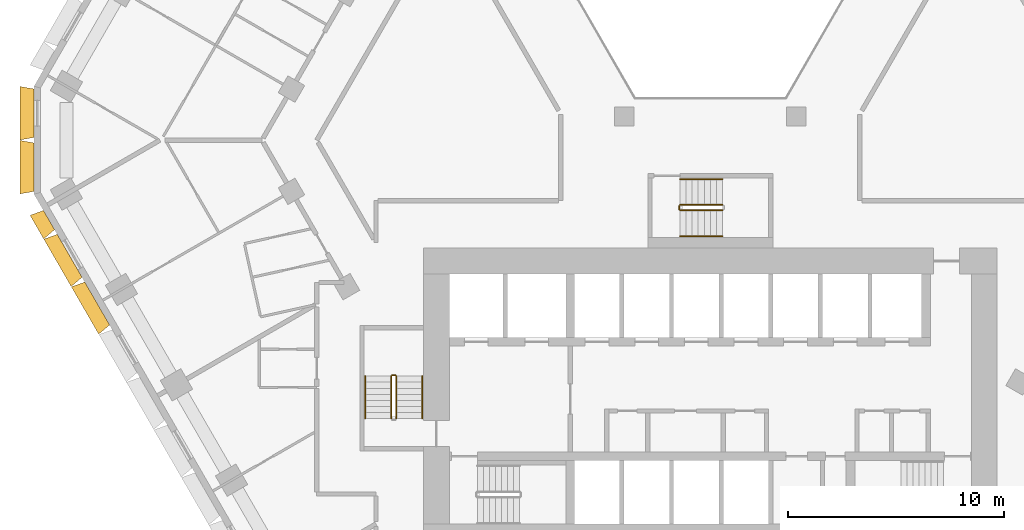
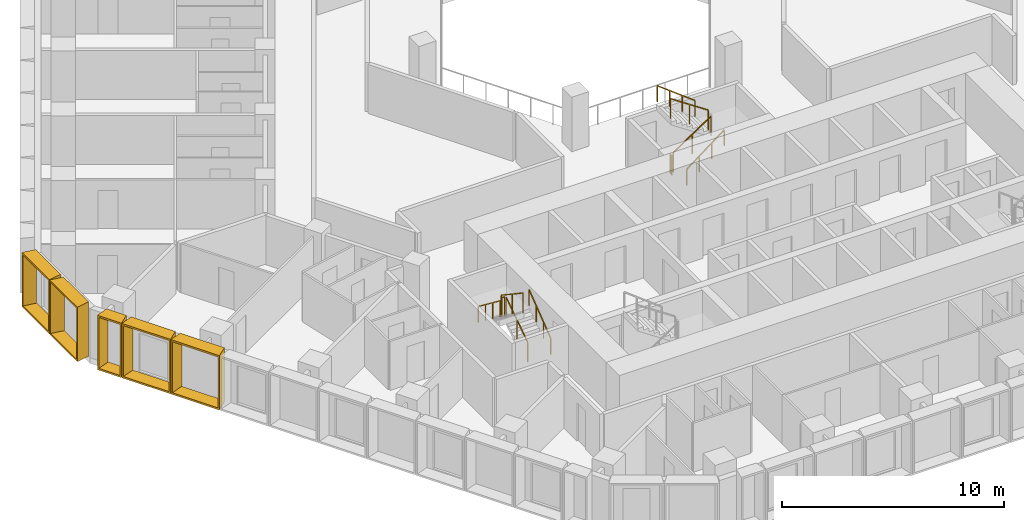
# One storey, part 14 of 16: 10 railings, 5 shading devices.
"""IFC4 building model written with IfcOpenShell, lengths in metres."""

from ifc_helpers import new_model, entity, si_unit, direction, frame, origin, origin_2d, place, context, subcontext, project, spatial, rectangle, extrude, source, transform, mapped, material, type_object, type_shapes, element, save


model = new_model("IFC4")

# Units and contexts
model_context = context("Model", 3, precision=1e-05, world=origin(), true_north=direction((0.0, 1.0)))
body_context = subcontext(model_context, "Body", "Model", "MODEL_VIEW")
ifc_project = project(units=[si_unit("LENGTHUNIT", "METRE"), si_unit("AREAUNIT", "SQUARE_METRE"), si_unit("VOLUMEUNIT", "CUBIC_METRE"), si_unit("PLANEANGLEUNIT", "RADIAN"), si_unit("MASSUNIT", "GRAM", prefix="KILO")], contexts=[model_context])

# Site, building, storey
site_placement = place(None, origin())
site = spatial("IfcSite", under=ifc_project, at=site_placement, CompositionType="ELEMENT")
building_placement = place(site_placement, origin())
building = spatial("IfcBuilding", under=site, at=building_placement, Name="Beryl Residences", CompositionType="ELEMENT")
storey_placement = place(building_placement, frame((0.0, 0.0, 56.39990234375)))
storey = spatial("IfcBuildingStorey", under=building, at=storey_placement, Name="L17", CompositionType="ELEMENT", Elevation=56.39990234375)

# Shading devices
ifc_material_1 = material(Name="Aluminium pale anodised", Category="aluminium")
shading_device_type_1 = type_object("IfcShadingDeviceType", Name="FR128-65A OUTER SKIN frame 650 mm deep, splay 10/10 deg, 1280 x 3000 mm cell", PredefinedType="USERDEFINED", material=ifc_material_1)
cartesian_point_1 = entity("IfcCartesianPoint", [-0.514892578125, 0.0])
cartesian_point_2 = entity("IfcCartesianPoint", [-0.433837890625, 0.10009765625])
cartesian_point_3 = entity("IfcCartesianPoint", [-0.629638671875, 0.0])
cartesian_point_4 = entity("IfcCartesianPoint", [-0.54833984375, 0.10009765625])
shared_shape_1 = source(origin(), body_context, "Body", "SweptSolid", [
    entity("IfcExtrudedAreaSolidTapered", entity("IfcArbitraryProfileDefWithVoids", "AREA", None, entity("IfcPolyline", [cartesian_point_1, entity("IfcCartesianPoint", [0.514892578125, 0.0]), entity("IfcCartesianPoint", [0.514892578125, 3.0]), entity("IfcCartesianPoint", [-0.514892578125, 3.0]), cartesian_point_1]), [entity("IfcPolyline", [cartesian_point_2, entity("IfcCartesianPoint", [0.433837890625, 0.10009765625]), entity("IfcCartesianPoint", [0.433837890625, 2.89990234375]), entity("IfcCartesianPoint", [-0.433837890625, 2.89990234375]), cartesian_point_2])]), entity("IfcAxis2Placement3D", entity("IfcCartesianPoint", [0.0, 0.0, 0.0]), entity("IfcDirection", [0.0, 1.0, 0.0]), entity("IfcDirection", [-1.0, 0.0, 0.0])), entity("IfcDirection", [0.0, 0.0, 1.0]), 0.64990234375, entity("IfcArbitraryProfileDefWithVoids", "AREA", None, entity("IfcPolyline", [cartesian_point_3, entity("IfcCartesianPoint", [0.629638671875, 0.0]), entity("IfcCartesianPoint", [0.629638671875, 3.0]), entity("IfcCartesianPoint", [-0.629638671875, 3.0]), cartesian_point_3]), [entity("IfcPolyline", [cartesian_point_4, entity("IfcCartesianPoint", [0.54833984375, 0.10009765625]), entity("IfcCartesianPoint", [0.54833984375, 2.89990234375]), entity("IfcCartesianPoint", [-0.54833984375, 2.89990234375]), cartesian_point_4])])),
])
type_shapes(shading_device_type_1, [shared_shape_1])
shading_device_placement = place(storey_placement, frame((-30.655029296875, -3.702880859375, 0.0), z_axis=(0.0, 0.0, 1.0), x_axis=(-0.5, 0.866025403784, 0.0)))
element("IfcShadingDevice", 1, at=shading_device_placement, inside=storey, type_object=shading_device_type_1, Name="FR128-65A frame L17 SW 1", ObjectType="OUTER SKIN", PredefinedType="USERDEFINED", context=body_context, shape_type="MappedRepresentation", body=[
    mapped(shared_shape_1, transform((0.0, 0.0, 0.0))),
])
ifc_material_2 = material(Name="Aluminium pale anodised", Category="aluminium")
shading_device_type_2 = type_object("IfcShadingDeviceType", Name="FR250-65A OUTER SKIN frame 650 mm deep, splay 10/10 deg, 2500 x 3000 mm cell", PredefinedType="USERDEFINED", material=ifc_material_2)
cartesian_point_5 = entity("IfcCartesianPoint", [-1.125, 0.0])
cartesian_point_6 = entity("IfcCartesianPoint", [-1.043701171875, 0.10009765625])
cartesian_point_7 = entity("IfcCartesianPoint", [-1.239501953125, 0.0])
cartesian_point_8 = entity("IfcCartesianPoint", [-1.158447265625, 0.10009765625])
shared_shape_2 = source(origin(), body_context, "Body", "SweptSolid", [
    entity("IfcExtrudedAreaSolidTapered", entity("IfcArbitraryProfileDefWithVoids", "AREA", None, entity("IfcPolyline", [cartesian_point_5, entity("IfcCartesianPoint", [1.125, 0.0]), entity("IfcCartesianPoint", [1.125, 3.0]), entity("IfcCartesianPoint", [-1.125, 3.0]), cartesian_point_5]), [entity("IfcPolyline", [cartesian_point_6, entity("IfcCartesianPoint", [1.043701171875, 0.10009765625]), entity("IfcCartesianPoint", [1.043701171875, 2.89990234375]), entity("IfcCartesianPoint", [-1.043701171875, 2.89990234375]), cartesian_point_6])]), entity("IfcAxis2Placement3D", entity("IfcCartesianPoint", [0.0, 0.0, 0.0]), entity("IfcDirection", [0.0, 1.0, 0.0]), entity("IfcDirection", [-1.0, 0.0, 0.0])), entity("IfcDirection", [0.0, 0.0, 1.0]), 0.64990234375, entity("IfcArbitraryProfileDefWithVoids", "AREA", None, entity("IfcPolyline", [cartesian_point_7, entity("IfcCartesianPoint", [1.239501953125, 0.0]), entity("IfcCartesianPoint", [1.239501953125, 3.0]), entity("IfcCartesianPoint", [-1.239501953125, 3.0]), cartesian_point_7]), [entity("IfcPolyline", [cartesian_point_8, entity("IfcCartesianPoint", [1.158447265625, 0.10009765625]), entity("IfcCartesianPoint", [1.158447265625, 2.89990234375]), entity("IfcCartesianPoint", [-1.158447265625, 2.89990234375]), cartesian_point_8])])),
])
type_shapes(shading_device_type_2, [shared_shape_2])
for number, where, z_axis, x_axis, name in (
    (2, (-31.35009765625, 1.25, 0.0), (0.0, 0.0, 1.0), (0.0, 1.0, 0.0), "FR250-65A frame L17 NW-SW 1"),
    (3, (-31.35009765625, -1.25, 0.0), (0.0, 0.0, 1.0), (0.0, 1.0, 0.0), "FR250-65A frame L17 NW-SW 2"),
):
    element("IfcShadingDevice", number, at=place(storey_placement, frame(where, z_axis=z_axis, x_axis=x_axis)), inside=storey, type_object=shading_device_type_2, Name=name, ObjectType="OUTER SKIN", PredefinedType="USERDEFINED", context=body_context, shape_type="MappedRepresentation", body=[
        mapped(shared_shape_2, transform((0.0, 0.0, 0.0))),
    ])
ifc_material_3 = material(Name="Aluminium pale anodised", Category="aluminium")
shading_device_type_3 = type_object("IfcShadingDeviceType", Name="FR255-65A OUTER SKIN frame 650 mm deep, splay 10/10 deg, 2550 x 3000 mm cell", PredefinedType="USERDEFINED", material=ifc_material_3)
cartesian_point_9 = entity("IfcCartesianPoint", [-1.14990234375, 0.0])
cartesian_point_10 = entity("IfcCartesianPoint", [-1.06884765625, 0.10009765625])
cartesian_point_11 = entity("IfcCartesianPoint", [-1.2646484375, 0.0])
cartesian_point_12 = entity("IfcCartesianPoint", [-1.183349609375, 0.10009765625])
shared_shape_3 = source(origin(), body_context, "Body", "SweptSolid", [
    entity("IfcExtrudedAreaSolidTapered", entity("IfcArbitraryProfileDefWithVoids", "AREA", None, entity("IfcPolyline", [cartesian_point_9, entity("IfcCartesianPoint", [1.14990234375, 0.0]), entity("IfcCartesianPoint", [1.14990234375, 3.0]), entity("IfcCartesianPoint", [-1.14990234375, 3.0]), cartesian_point_9]), [entity("IfcPolyline", [cartesian_point_10, entity("IfcCartesianPoint", [1.06884765625, 0.10009765625]), entity("IfcCartesianPoint", [1.06884765625, 2.89990234375]), entity("IfcCartesianPoint", [-1.06884765625, 2.89990234375]), cartesian_point_10])]), entity("IfcAxis2Placement3D", entity("IfcCartesianPoint", [0.0, 0.0, 0.0]), entity("IfcDirection", [0.0, 1.0, 0.0]), entity("IfcDirection", [-1.0, 0.0, 0.0])), entity("IfcDirection", [0.0, 0.0, 1.0]), 0.64990234375, entity("IfcArbitraryProfileDefWithVoids", "AREA", None, entity("IfcPolyline", [cartesian_point_11, entity("IfcCartesianPoint", [1.2646484375, 0.0]), entity("IfcCartesianPoint", [1.2646484375, 3.0]), entity("IfcCartesianPoint", [-1.2646484375, 3.0]), cartesian_point_11]), [entity("IfcPolyline", [cartesian_point_12, entity("IfcCartesianPoint", [1.183349609375, 0.10009765625]), entity("IfcCartesianPoint", [1.183349609375, 2.89990234375]), entity("IfcCartesianPoint", [-1.183349609375, 2.89990234375]), cartesian_point_12])])),
])
type_shapes(shading_device_type_3, [shared_shape_3])
for number, where, z_axis, x_axis, name in (
    (4, (-29.697998046875, -5.360107421875, 0.0), (0.0, 0.0, 1.0), (-0.5, 0.866025403784, 0.0), "FR255-65A frame L17 SW 2"),
    (5, (-28.422119140625, -7.570068359375, 0.0), (0.0, 0.0, 1.0), (-0.5, 0.866025403784, 0.0), "FR255-65A frame L17 SW 3"),
):
    element("IfcShadingDevice", number, at=place(storey_placement, frame(where, z_axis=z_axis, x_axis=x_axis)), inside=storey, type_object=shading_device_type_3, Name=name, ObjectType="OUTER SKIN", PredefinedType="USERDEFINED", context=body_context, shape_type="MappedRepresentation", body=[
        mapped(shared_shape_3, transform((0.0, 0.0, 0.0))),
    ])

# Railings
ifc_material_4 = material(Name="Stainless steel balustrade with glass infill", Category="steel")
railing_type_1 = type_object("IfcRailingType", Name="SG1 stair guard 1100 mm", PredefinedType="GUARDRAIL", material=ifc_material_4)
railing_1_placement = place(storey_placement, frame((-14.550048828125, -12.89990234375, 0.1875)))
element("IfcRailing", 6, at=railing_1_placement, inside=storey, type_object=railing_type_1, Name="L17 ST-2 stair guard 1", PredefinedType="GUARDRAIL", context=body_context, shape_type="SweptSolid", body=[
    extrude(rectangle(XDim=0.048095703125, YDim=0.048095703125, at=origin_2d()), frame((0.0, 0.0, 1.076171875), z_axis=(0.0, 0.830902050051, 0.556418712142), x_axis=(-1.0, 0.0, 0.0)), (0.0, 0.0, 1.0), 2.35888671875),
    extrude(rectangle(XDim=0.0419921875, YDim=0.0419921875, at=origin_2d()), origin(), (0.0, 0.0, 1.0), 1.052001953125),
    extrude(rectangle(XDim=0.0419921875, YDim=0.0419921875, at=origin_2d()), frame((0.0, 0.97998046875, 0.65625)), (0.0, 0.0, 1.0), 1.052001953125),
    extrude(rectangle(XDim=0.0419921875, YDim=0.0419921875, at=origin_2d()), frame((0.0, 1.9599609375, 1.3125)), (0.0, 0.0, 1.0), 1.052001953125),
])
railing_2_placement = place(storey_placement, frame((-14.60009765625, -10.889892578125, 1.5)))
element("IfcRailing", 7, at=railing_2_placement, inside=storey, type_object=railing_type_1, Name="L17 ST-2 stair guard 2", PredefinedType="GUARDRAIL", context=body_context, shape_type="SweptSolid", body=[
    extrude(rectangle(XDim=0.048095703125, YDim=0.048095703125, at=origin_2d()), frame((0.0, 0.0, 1.076171875), z_axis=(-1.0, 0.0, 0.0), x_axis=(0.0, -1.0, 0.0)), (0.0, 0.0, 1.0), 0.14990234375),
    extrude(rectangle(XDim=0.0419921875, YDim=0.0419921875, at=origin_2d()), origin(), (0.0, 0.0, 1.0), 1.052001953125),
    extrude(rectangle(XDim=0.0419921875, YDim=0.0419921875, at=origin_2d()), frame((-0.14990234375, 0.0, 0.0)), (0.0, 0.0, 1.0), 1.052001953125),
])
railing_3_placement = place(storey_placement, frame((-14.800048828125, -10.93994140625, 1.6875)))
element("IfcRailing", 8, at=railing_3_placement, inside=storey, type_object=railing_type_1, Name="L17 ST-2 stair guard 3", PredefinedType="GUARDRAIL", context=body_context, shape_type="SweptSolid", body=[
    extrude(rectangle(XDim=0.048095703125, YDim=0.048095703125, at=origin_2d()), frame((0.0, 0.0, 1.076171875), z_axis=(0.0, -0.830902050051, 0.556418712142), x_axis=(1.0, 0.0, 0.0)), (0.0, 0.0, 1.0), 2.35888671875),
    extrude(rectangle(XDim=0.0419921875, YDim=0.0419921875, at=origin_2d()), origin(), (0.0, 0.0, 1.0), 1.052001953125),
    extrude(rectangle(XDim=0.0419921875, YDim=0.0419921875, at=origin_2d()), frame((0.0, -0.97998046875, 0.65625)), (0.0, 0.0, 1.0), 1.052001953125),
    extrude(rectangle(XDim=0.0419921875, YDim=0.0419921875, at=origin_2d()), frame((0.0, -1.9599609375, 1.3125)), (0.0, 0.0, 1.0), 1.052001953125),
])
railing_4_placement = place(storey_placement, frame((-1.39990234375, -3.25, 0.1875)))
element("IfcRailing", 9, at=railing_4_placement, inside=storey, type_object=railing_type_1, Name="L17 ST-4 stair guard 1", PredefinedType="GUARDRAIL", context=body_context, shape_type="SweptSolid", body=[
    extrude(rectangle(XDim=0.048095703125, YDim=0.048095703125, at=origin_2d()), frame((0.0, 0.0, 1.076171875), z_axis=(0.830902050051, 0.0, 0.556418712142), x_axis=(0.0, 1.0, 0.0)), (0.0, 0.0, 1.0), 2.35888671875),
    extrude(rectangle(XDim=0.0419921875, YDim=0.0419921875, at=origin_2d()), origin(), (0.0, 0.0, 1.0), 1.052001953125),
    extrude(rectangle(XDim=0.0419921875, YDim=0.0419921875, at=origin_2d()), frame((0.97998046875, 0.0, 0.65625)), (0.0, 0.0, 1.0), 1.052001953125),
    extrude(rectangle(XDim=0.0419921875, YDim=0.0419921875, at=origin_2d()), frame((1.9599609375, 0.0, 1.3125)), (0.0, 0.0, 1.0), 1.052001953125),
])
railing_5_placement = place(storey_placement, frame((0.56005859375, -3.0, 1.6875)))
element("IfcRailing", 10, at=railing_5_placement, inside=storey, type_object=railing_type_1, Name="L17 ST-4 stair guard 3", PredefinedType="GUARDRAIL", context=body_context, shape_type="SweptSolid", body=[
    extrude(rectangle(XDim=0.048095703125, YDim=0.048095703125, at=origin_2d()), frame((0.0, 0.0, 1.076171875), z_axis=(-0.830902050051, 0.0, 0.556418712142), x_axis=(0.0, -1.0, 0.0)), (0.0, 0.0, 1.0), 2.35888671875),
    extrude(rectangle(XDim=0.0419921875, YDim=0.0419921875, at=origin_2d()), origin(), (0.0, 0.0, 1.0), 1.052001953125),
    extrude(rectangle(XDim=0.0419921875, YDim=0.0419921875, at=origin_2d()), frame((-0.97998046875, 0.0, 0.65625)), (0.0, 0.0, 1.0), 1.052001953125),
    extrude(rectangle(XDim=0.0419921875, YDim=0.0419921875, at=origin_2d()), frame((-1.9599609375, 0.0, 1.3125)), (0.0, 0.0, 1.0), 1.052001953125),
])
railing_6_placement = place(storey_placement, frame((-1.449951171875, -3.199951171875, 0.0)))
element("IfcRailing", 11, at=railing_6_placement, inside=storey, type_object=railing_type_1, Name="L17 ST-4 stair guard 4", PredefinedType="GUARDRAIL", context=body_context, shape_type="SweptSolid", body=[
    extrude(rectangle(XDim=0.048095703125, YDim=0.048095703125, at=origin_2d()), frame((0.0, 0.0, 1.076171875), z_axis=(0.0, 1.0, 0.0), x_axis=(-1.0, 0.0, 0.0)), (0.0, 0.0, 1.0), 0.14990234375),
    extrude(rectangle(XDim=0.0419921875, YDim=0.0419921875, at=origin_2d()), origin(), (0.0, 0.0, 1.0), 1.052001953125),
    extrude(rectangle(XDim=0.0419921875, YDim=0.0419921875, at=origin_2d()), frame((0.0, 0.14990234375, 0.0)), (0.0, 0.0, 1.0), 1.052001953125),
])
ifc_material_5 = material(Name="Stainless steel handrail", Category="steel")
railing_type_2 = type_object("IfcRailingType", Name="SRL1 stair handrail 900 mm", PredefinedType="HANDRAIL", material=ifc_material_5)
railing_7_placement = place(storey_placement, frame((-13.35009765625, -12.89990234375, 0.1875)))
element("IfcRailing", 12, at=railing_7_placement, inside=storey, type_object=railing_type_2, Name="L17 ST-2 stair handrail 1", PredefinedType="HANDRAIL", context=body_context, shape_type="SweptSolid", body=[
    extrude(rectangle(XDim=0.048095703125, YDim=0.048095703125, at=origin_2d()), frame((0.0, 0.0, 0.8759765625), z_axis=(0.0, 0.794121922505, 0.607758481798), x_axis=(-1.0, 0.0, 0.0)), (0.0, 0.0, 1.0), 2.468017578125),
    extrude(rectangle(XDim=0.0419921875, YDim=0.0419921875, at=origin_2d()), origin(), (0.0, 0.0, 1.0), 0.851806640625),
    extrude(rectangle(XDim=0.0419921875, YDim=0.0419921875, at=origin_2d()), frame((0.0, 0.6533203125, 0.5)), (0.0, 0.0, 1.0), 0.851806640625),
    extrude(rectangle(XDim=0.0419921875, YDim=0.0419921875, at=origin_2d()), frame((0.0, 1.306640625, 1.0)), (0.0, 0.0, 1.0), 0.851806640625),
    extrude(rectangle(XDim=0.0419921875, YDim=0.0419921875, at=origin_2d()), frame((0.0, 1.9599609375, 1.5)), (0.0, 0.0, 1.0), 0.851806640625),
])
railing_8_placement = place(storey_placement, frame((-16.0, -10.93994140625, 1.6875)))
element("IfcRailing", 13, at=railing_8_placement, inside=storey, type_object=railing_type_2, Name="L17 ST-2 stair handrail 2", PredefinedType="HANDRAIL", context=body_context, shape_type="SweptSolid", body=[
    extrude(rectangle(XDim=0.048095703125, YDim=0.048095703125, at=origin_2d()), frame((0.0, 0.0, 0.8759765625), z_axis=(0.0, -0.794121922505, 0.607758481798), x_axis=(1.0, 0.0, 0.0)), (0.0, 0.0, 1.0), 2.468017578125),
    extrude(rectangle(XDim=0.0419921875, YDim=0.0419921875, at=origin_2d()), origin(), (0.0, 0.0, 1.0), 0.851806640625),
    extrude(rectangle(XDim=0.0419921875, YDim=0.0419921875, at=origin_2d()), frame((0.0, -0.6533203125, 0.5)), (0.0, 0.0, 1.0), 0.851806640625),
    extrude(rectangle(XDim=0.0419921875, YDim=0.0419921875, at=origin_2d()), frame((0.0, -1.306640625, 1.0)), (0.0, 0.0, 1.0), 0.851806640625),
    extrude(rectangle(XDim=0.0419921875, YDim=0.0419921875, at=origin_2d()), frame((0.0, -1.9599609375, 1.5)), (0.0, 0.0, 1.0), 0.851806640625),
])
railing_9_placement = place(storey_placement, frame((-1.39990234375, -4.449951171875, 0.1875)))
element("IfcRailing", 14, at=railing_9_placement, inside=storey, type_object=railing_type_2, Name="L17 ST-4 stair handrail 1", PredefinedType="HANDRAIL", context=body_context, shape_type="SweptSolid", body=[
    extrude(rectangle(XDim=0.048095703125, YDim=0.048095703125, at=origin_2d()), frame((0.0, 0.0, 0.8759765625), z_axis=(0.794121922505, 0.0, 0.607758481798), x_axis=(0.0, 1.0, 0.0)), (0.0, 0.0, 1.0), 2.468017578125),
    extrude(rectangle(XDim=0.0419921875, YDim=0.0419921875, at=origin_2d()), origin(), (0.0, 0.0, 1.0), 0.851806640625),
    extrude(rectangle(XDim=0.0419921875, YDim=0.0419921875, at=origin_2d()), frame((0.6533203125, 0.0, 0.5)), (0.0, 0.0, 1.0), 0.851806640625),
    extrude(rectangle(XDim=0.0419921875, YDim=0.0419921875, at=origin_2d()), frame((1.306640625, 0.0, 1.0)), (0.0, 0.0, 1.0), 0.851806640625),
    extrude(rectangle(XDim=0.0419921875, YDim=0.0419921875, at=origin_2d()), frame((1.9599609375, 0.0, 1.5)), (0.0, 0.0, 1.0), 0.851806640625),
])
railing_10_placement = place(storey_placement, frame((0.56005859375, -1.800048828125, 1.6875)))
element("IfcRailing", 15, at=railing_10_placement, inside=storey, type_object=railing_type_2, Name="L17 ST-4 stair handrail 2", PredefinedType="HANDRAIL", context=body_context, shape_type="SweptSolid", body=[
    extrude(rectangle(XDim=0.048095703125, YDim=0.048095703125, at=origin_2d()), frame((0.0, 0.0, 0.8759765625), z_axis=(-0.794121922505, 0.0, 0.607758481798), x_axis=(0.0, -1.0, 0.0)), (0.0, 0.0, 1.0), 2.468017578125),
    extrude(rectangle(XDim=0.0419921875, YDim=0.0419921875, at=origin_2d()), origin(), (0.0, 0.0, 1.0), 0.851806640625),
    extrude(rectangle(XDim=0.0419921875, YDim=0.0419921875, at=origin_2d()), frame((-0.6533203125, 0.0, 0.5)), (0.0, 0.0, 1.0), 0.851806640625),
    extrude(rectangle(XDim=0.0419921875, YDim=0.0419921875, at=origin_2d()), frame((-1.306640625, 0.0, 1.0)), (0.0, 0.0, 1.0), 0.851806640625),
    extrude(rectangle(XDim=0.0419921875, YDim=0.0419921875, at=origin_2d()), frame((-1.9599609375, 0.0, 1.5)), (0.0, 0.0, 1.0), 0.851806640625),
])

save(model, "model.ifc")
